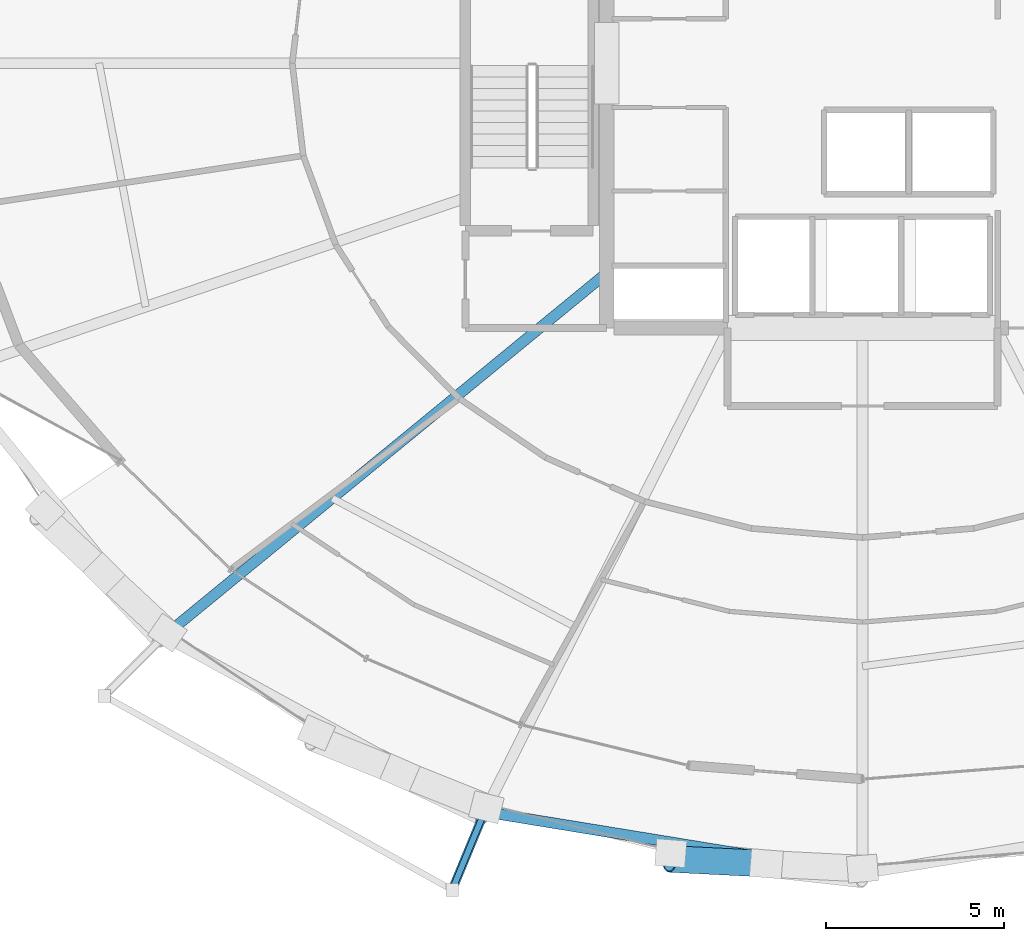
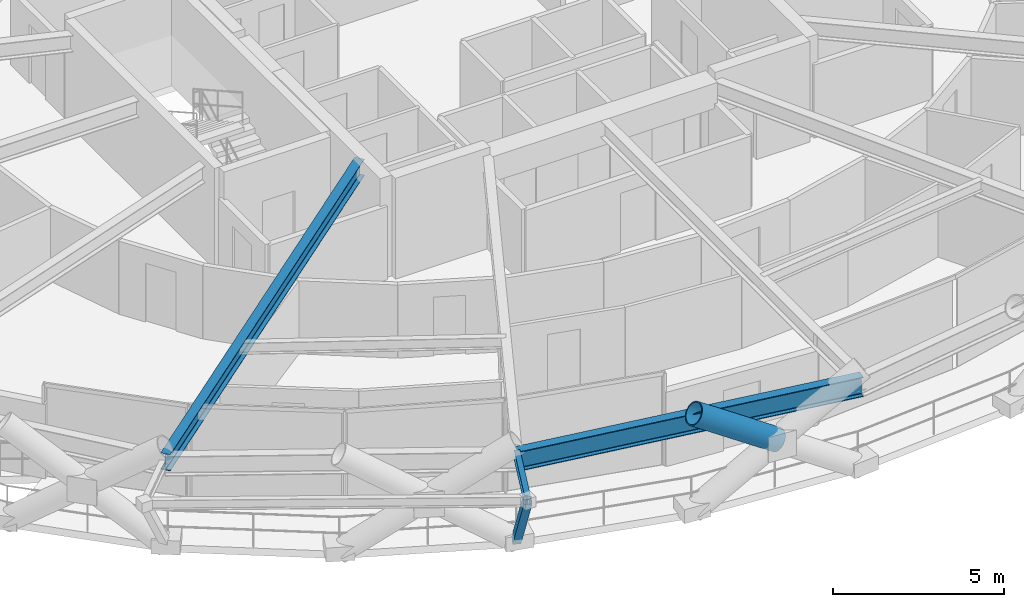
# One storey, part 3 of 19: 3 beams, 2 members.
"""IFC4 building model written with IfcOpenShell, lengths in metres."""

from ifc_helpers import new_model, si_unit, direction, frame, origin, origin_2d, place, context, subcontext, project, spatial, hollow_rectangle, hollow_circle, i_section, extrude, material, material_profile, profile_set, type_object, element, save


model = new_model("IFC4")

# Units and contexts
model_context = context("Model", 3, precision=1e-05, world=origin(), true_north=direction((0.0, 1.0)))
body_context = subcontext(model_context, "Body", "Model", "MODEL_VIEW")
ifc_project = project(units=[si_unit("LENGTHUNIT", "METRE"), si_unit("AREAUNIT", "SQUARE_METRE"), si_unit("VOLUMEUNIT", "CUBIC_METRE"), si_unit("PLANEANGLEUNIT", "RADIAN"), si_unit("MASSUNIT", "GRAM", prefix="KILO")], contexts=[model_context])

# Site, building, storey
site_placement = place(None, origin())
site = spatial("IfcSite", under=ifc_project, at=site_placement, CompositionType="ELEMENT")
building_placement = place(site_placement, origin())
building = spatial("IfcBuilding", under=site, at=building_placement, Name="Veldorina Hangang Commons", CompositionType="ELEMENT")
storey_placement = place(building_placement, frame((0.0, 0.0, 34.0)))
storey = spatial("IfcBuildingStorey", under=building, at=storey_placement, Name="L07", CompositionType="ELEMENT", Elevation=34.0)

# Beams
ifc_material_1 = material(Name="Steel SM355-TMC", Category="steel")
ifc_material_profile_1 = material_profile(ifc_material_1, i_section(OverallWidth=0.175048828125, OverallDepth=0.35009765625, WebThickness=0.007080078125, FlangeThickness=0.010986328125, FilletRadius=0.012939453125, at=origin_2d()), Name="H-350x175x7x11")
ifc_profile_set_1 = profile_set([ifc_material_profile_1], Name="Steel SM355-TMC")
beam_type_1 = type_object("IfcBeamType", Name="BM-FG350", PredefinedType="BEAM", material=ifc_profile_set_1)
beam_1_placement = place(storey_placement, frame((21.348388671875, 2.904296875, 3.1650390625), z_axis=(-0.382630118564, -0.923901614008, 0.0), x_axis=(0.923901614008, -0.382630118564, 0.0)))
element("IfcBeam", 1, at=beam_1_placement, inside=storey, type_object=beam_type_1, Name="L08 tree balcony 1 bracket beam B", PredefinedType="BEAM", context=body_context, shape_type="SweptSolid", body=[
    extrude(i_section(OverallWidth=0.175048828125, OverallDepth=0.35009765625, WebThickness=0.007080078125, FlangeThickness=0.010986328125, FilletRadius=0.012939453125, at=origin_2d()), origin(), (0.0, 0.0, 1.0), 2.349853515625),
])
ifc_material_2 = material(Name="Steel SM460-TMC", Category="steel")
ifc_material_profile_2 = material_profile(ifc_material_2, i_section(OverallWidth=0.300048828125, OverallDepth=0.587890625, WebThickness=0.011962890625, FlangeThickness=0.02001953125, FilletRadius=0.01806640625, at=origin_2d()), Name="H-588x300x12x20")
ifc_profile_set_2 = profile_set([ifc_material_profile_2], Name="Steel SM460-TMC")
beam_type_2 = type_object("IfcBeamType", Name="BM-FG588", PredefinedType="BEAM", material=ifc_profile_set_2)
beam_2_placement = place(storey_placement, frame((24.800048828125, 18.0947265625, 3.0458984375), z_axis=(-0.773202871843, -0.634158749032, 0.0), x_axis=(0.634158749032, -0.773202871843, 0.0)))
element("IfcBeam", 2, at=beam_2_placement, inside=storey, type_object=beam_type_2, Name="L07 radial floor girder 11", PredefinedType="BEAM", context=body_context, shape_type="SweptSolid", body=[
    extrude(i_section(OverallWidth=0.300048828125, OverallDepth=0.587890625, WebThickness=0.011962890625, FlangeThickness=0.02001953125, FilletRadius=0.01806640625, at=origin_2d()), origin(), (0.0, 0.0, 1.0), 16.116943359375),
])
ifc_material_profile_3 = material_profile(ifc_material_2, i_section(OverallWidth=0.300048828125, OverallDepth=0.699951171875, WebThickness=0.012939453125, FlangeThickness=0.02392578125, FilletRadius=0.02197265625, at=origin_2d()), Name="H-700x300x13x24")
ifc_profile_set_3 = profile_set([ifc_material_profile_3], Name="Steel SM460-TMC")
beam_type_3 = type_object("IfcBeamType", Name="BM-RB700", PredefinedType="BEAM", material=ifc_profile_set_3)
beam_3_placement = place(storey_placement, frame((21.359375, 2.930419921875, 2.989990234375), z_axis=(0.986949998881, -0.161027015465, 0.0), x_axis=(0.161027015465, 0.986949998881, 0.0)))
element("IfcBeam", 3, at=beam_3_placement, inside=storey, type_object=beam_type_3, Name="L07 perimeter hoop ring beam 22", PredefinedType="BEAM", context=body_context, shape_type="SweptSolid", body=[
    extrude(i_section(OverallWidth=0.300048828125, OverallDepth=0.699951171875, WebThickness=0.012939453125, FlangeThickness=0.02392578125, FilletRadius=0.02197265625, at=origin_2d()), origin(), (0.0, 0.0, 1.0), 10.78125),
])

# Members
ifc_material_profile_4 = material_profile(ifc_material_2, hollow_circle(Radius=0.375, WallThickness=0.035888671875, at=origin_2d()), Name="CHS-750x36")
ifc_profile_set_4 = profile_set([ifc_material_profile_4], Name="Steel SM460-TMC")
member_type_1 = type_object("IfcMemberType", Name="DG-CHS750", PredefinedType="BRACE", material=ifc_profile_set_4)
member_1_placement = place(storey_placement, frame((29.293212890625, 1.468017578125, 1.794677734375), z_axis=(-0.832753127173, 0.041880278292, 0.552058213845), x_axis=(-0.050227870621, -0.998737783912, 0.0)))
element("IfcMember", 4, at=member_1_placement, inside=storey, type_object=member_type_1, Name="L07 split perimeter diagrid upper brace 24", PredefinedType="BRACE", context=body_context, shape_type="SweptSolid", body=[
    extrude(hollow_circle(Radius=0.375, WallThickness=0.035888671875, at=origin_2d()), origin(), (0.0, 0.0, 1.0), 3.270263671875),
])
ifc_material_profile_5 = material_profile(ifc_material_1, hollow_rectangle(XDim=0.25, YDim=0.25, WallThickness=0.011962890625, at=origin_2d()), Name="SHS-250x250x12")
ifc_profile_set_5 = profile_set([ifc_material_profile_5], Name="Steel SM355-TMC")
member_type_2 = type_object("IfcMemberType", Name="STR-SHS250", PredefinedType="STRUT", material=ifc_profile_set_5)
member_2_placement = place(storey_placement, frame((21.412109375, 3.0576171875, 0.0), z_axis=(-0.238148501724, -0.574901593539, 0.782798472707), x_axis=(0.923870177641, -0.382706016239, 0.0)))
element("IfcMember", 5, at=member_2_placement, inside=storey, type_object=member_type_2, Name="L08 tree balcony 1 raking knee strut B", PredefinedType="STRUT", context=body_context, shape_type="SweptSolid", body=[
    extrude(hollow_rectangle(XDim=0.25, YDim=0.25, WallThickness=0.011962890625, at=origin_2d()), origin(), (0.0, 0.0, 1.0), 4.043212890625),
])

save(model, "model.ifc")
